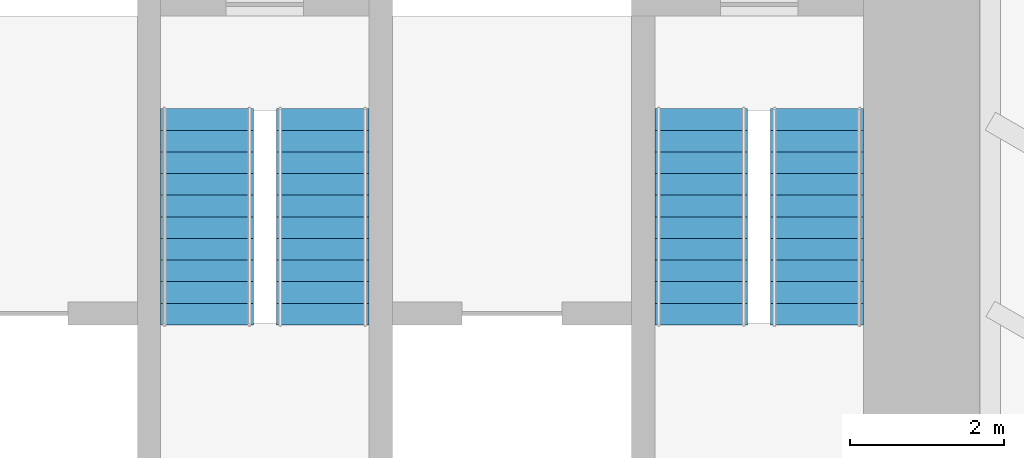
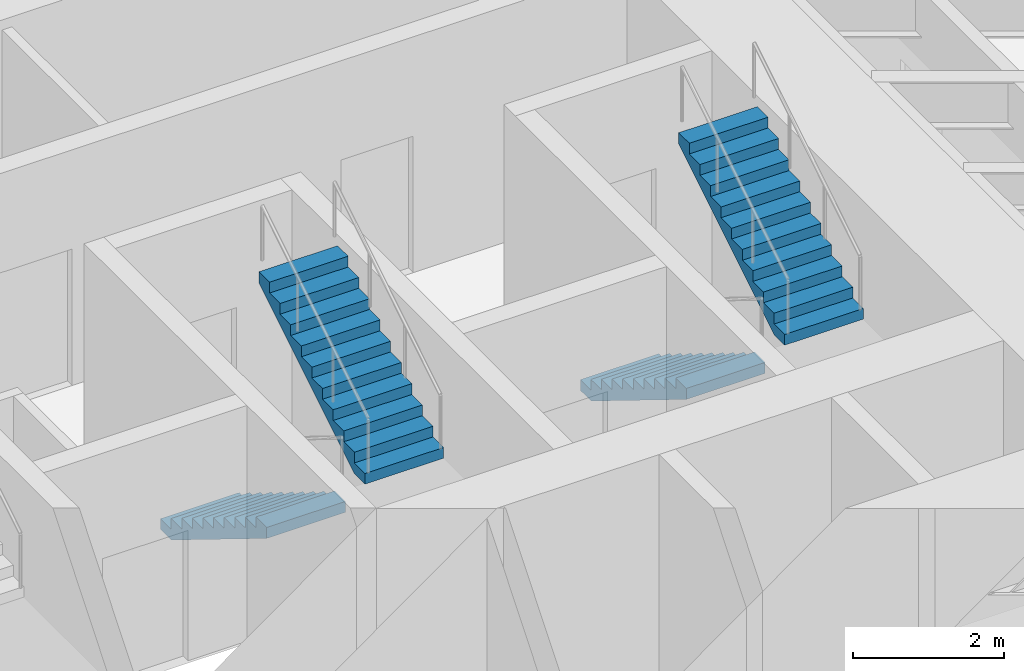
# One storey, part 16 of 17: 4 stair flights, 2 elements without a shape of their own.
"""IFC4 building model written with IfcOpenShell, lengths in metres."""

from ifc_helpers import new_model, si_unit, direction, frame, origin, place, context, subcontext, project, spatial, polyline, outline, extrude, material, type_object, element, aggregate, save


model = new_model("IFC4")

# Units and contexts
model_context = context("Model", 3, precision=1e-05, world=origin(), true_north=direction((0.0, 1.0)))
body_context = subcontext(model_context, "Body", "Model", "MODEL_VIEW")
ifc_project = project(units=[si_unit("LENGTHUNIT", "METRE"), si_unit("AREAUNIT", "SQUARE_METRE"), si_unit("VOLUMEUNIT", "CUBIC_METRE"), si_unit("PLANEANGLEUNIT", "RADIAN"), si_unit("MASSUNIT", "GRAM", prefix="KILO")], contexts=[model_context])

# Site, building, storey
site_placement = place(None, origin())
site = spatial("IfcSite", under=ifc_project, at=site_placement, CompositionType="ELEMENT")
building_placement = place(site_placement, origin())
building = spatial("IfcBuilding", under=site, at=building_placement, Name="Sandreach Pilgrim Tower", CompositionType="ELEMENT")
storey_placement = place(building_placement, frame((0.0, 0.0, 45.800048828125)))
storey = spatial("IfcBuildingStorey", under=building, at=storey_placement, Name="L10", CompositionType="ELEMENT", Elevation=45.800048828125)

# Stair, stair flights
ifc_material_1 = material(Name="Concrete 8000 psi", Category="concrete")
stair_type = type_object("IfcStairType", Name="Core exit stair", PredefinedType="HALF_TURN_STAIR", material=ifc_material_1)
stair_1_placement = place(storey_placement, origin())
stair_1 = element("IfcStair", 1, at=stair_1_placement, inside=storey, type_object=stair_type, Name="Exit stair ST3 L10", PredefinedType="HALF_TURN_STAIR")
ifc_material_2 = material(Name="Concrete 8000 psi", Category="concrete")
stair_flight_type = type_object("IfcStairFlightType", Name="Core stair flight 1200", PredefinedType="STRAIGHT", material=ifc_material_2)
stair_flight_1_placement = place(storey_placement, frame((-0.75, -0.39990234375, 0.0), z_axis=(0.0, 0.0, 1.0), x_axis=(0.0, -1.0, 0.0)))
stair_flight_1 = element("IfcStairFlight", 2, at=stair_flight_1_placement, type_object=stair_flight_type, Name="ST3 flight 1", NumberOfRisers=11, NumberOfTreads=10, PredefinedType="STRAIGHT", RiserHeight=0.172727273, TreadLength=0.28, context=body_context, shape_type="SweptSolid", body=[
    extrude(outline(polyline([(0.0, 0.0), (0.0, 0.172607421875), (0.280029296875, 0.172607421875), (0.280029296875, 0.345458984375), (0.56005859375, 0.345458984375), (0.56005859375, 0.51806640625), (0.840087890625, 0.51806640625), (0.840087890625, 0.69091796875), (1.1201171875, 0.69091796875), (1.1201171875, 0.863525390625), (1.39990234375, 0.863525390625), (1.39990234375, 1.036376953125), (1.679931640625, 1.036376953125), (1.679931640625, 1.208984375), (1.9599609375, 1.208984375), (1.9599609375, 1.3818359375), (2.239990234375, 1.3818359375), (2.239990234375, 1.554443359375), (2.52001953125, 1.554443359375), (2.52001953125, 1.727294921875), (2.800048828125, 1.727294921875), (2.800048828125, 1.89990234375), (2.800048828125, 1.551025390625), (0.285400390625, 0.0), (0.0, 0.0)])), frame((0.0, 0.60009765625, 0.0), z_axis=(0.0, -1.0, 0.0), x_axis=(1.0, 0.0, 0.0)), (0.0, 0.0, 1.0), 1.199951171875),
])
stair_flight_2_placement = place(storey_placement, frame((0.75, -3.199951171875, 1.89990234375), z_axis=(0.0, 0.0, 1.0), x_axis=(0.0, 1.0, 0.0)))
stair_flight_2 = element("IfcStairFlight", 3, at=stair_flight_2_placement, type_object=stair_flight_type, Name="ST3 flight 2", NumberOfRisers=11, NumberOfTreads=10, PredefinedType="STRAIGHT", RiserHeight=0.172727273, TreadLength=0.28, context=body_context, shape_type="SweptSolid", body=[
    extrude(outline(polyline([(0.0, 0.0), (0.0, 0.172607421875), (0.280029296875, 0.172607421875), (0.280029296875, 0.345458984375), (0.56005859375, 0.345458984375), (0.56005859375, 0.51806640625), (0.840087890625, 0.51806640625), (0.840087890625, 0.69091796875), (1.1201171875, 0.69091796875), (1.1201171875, 0.863525390625), (1.39990234375, 0.863525390625), (1.39990234375, 1.036376953125), (1.679931640625, 1.036376953125), (1.679931640625, 1.208984375), (1.9599609375, 1.208984375), (1.9599609375, 1.3818359375), (2.239990234375, 1.3818359375), (2.239990234375, 1.554443359375), (2.52001953125, 1.554443359375), (2.52001953125, 1.727294921875), (2.800048828125, 1.727294921875), (2.800048828125, 1.89990234375), (2.800048828125, 1.551025390625), (0.285400390625, 0.0), (0.0, 0.0)])), frame((0.0, 0.60009765625, 0.0), z_axis=(0.0, -1.0, 0.0), x_axis=(1.0, 0.0, 0.0)), (0.0, 0.0, 1.0), 1.199951171875),
])
aggregate(stair_1, [stair_flight_1, stair_flight_2])

stair_2_placement = place(storey_placement, origin())
stair_2 = element("IfcStair", 4, at=stair_2_placement, inside=storey, type_object=stair_type, Name="Exit stair ST2 L10", PredefinedType="HALF_TURN_STAIR")
stair_flight_3_placement = place(storey_placement, frame((5.64990234375, -0.39990234375, 0.0), z_axis=(0.0, 0.0, 1.0), x_axis=(0.0, -1.0, 0.0)))
stair_flight_3 = element("IfcStairFlight", 5, at=stair_flight_3_placement, type_object=stair_flight_type, Name="ST2 flight 1", NumberOfRisers=11, NumberOfTreads=10, PredefinedType="STRAIGHT", RiserHeight=0.172727273, TreadLength=0.28, context=body_context, shape_type="SweptSolid", body=[
    extrude(outline(polyline([(0.0, 0.0), (0.0, 0.172607421875), (0.280029296875, 0.172607421875), (0.280029296875, 0.345458984375), (0.56005859375, 0.345458984375), (0.56005859375, 0.51806640625), (0.840087890625, 0.51806640625), (0.840087890625, 0.69091796875), (1.1201171875, 0.69091796875), (1.1201171875, 0.863525390625), (1.39990234375, 0.863525390625), (1.39990234375, 1.036376953125), (1.679931640625, 1.036376953125), (1.679931640625, 1.208984375), (1.9599609375, 1.208984375), (1.9599609375, 1.3818359375), (2.239990234375, 1.3818359375), (2.239990234375, 1.554443359375), (2.52001953125, 1.554443359375), (2.52001953125, 1.727294921875), (2.800048828125, 1.727294921875), (2.800048828125, 1.89990234375), (2.800048828125, 1.551025390625), (0.285400390625, 0.0), (0.0, 0.0)])), frame((0.0, 0.60009765625, 0.0), z_axis=(0.0, -1.0, 0.0), x_axis=(1.0, 0.0, 0.0)), (0.0, 0.0, 1.0), 1.199951171875),
])
stair_flight_4_placement = place(storey_placement, frame((7.14990234375, -3.199951171875, 1.89990234375), z_axis=(0.0, 0.0, 1.0), x_axis=(0.0, 1.0, 0.0)))
stair_flight_4 = element("IfcStairFlight", 6, at=stair_flight_4_placement, type_object=stair_flight_type, Name="ST2 flight 2", NumberOfRisers=11, NumberOfTreads=10, PredefinedType="STRAIGHT", RiserHeight=0.172727273, TreadLength=0.28, context=body_context, shape_type="SweptSolid", body=[
    extrude(outline(polyline([(0.0, 0.0), (0.0, 0.172607421875), (0.280029296875, 0.172607421875), (0.280029296875, 0.345458984375), (0.56005859375, 0.345458984375), (0.56005859375, 0.51806640625), (0.840087890625, 0.51806640625), (0.840087890625, 0.69091796875), (1.1201171875, 0.69091796875), (1.1201171875, 0.863525390625), (1.39990234375, 0.863525390625), (1.39990234375, 1.036376953125), (1.679931640625, 1.036376953125), (1.679931640625, 1.208984375), (1.9599609375, 1.208984375), (1.9599609375, 1.3818359375), (2.239990234375, 1.3818359375), (2.239990234375, 1.554443359375), (2.52001953125, 1.554443359375), (2.52001953125, 1.727294921875), (2.800048828125, 1.727294921875), (2.800048828125, 1.89990234375), (2.800048828125, 1.551025390625), (0.285400390625, 0.0), (0.0, 0.0)])), frame((0.0, 0.60009765625, 0.0), z_axis=(0.0, -1.0, 0.0), x_axis=(1.0, 0.0, 0.0)), (0.0, 0.0, 1.0), 1.199951171875),
])
aggregate(stair_2, [stair_flight_3, stair_flight_4])

save(model, "model.ifc")
